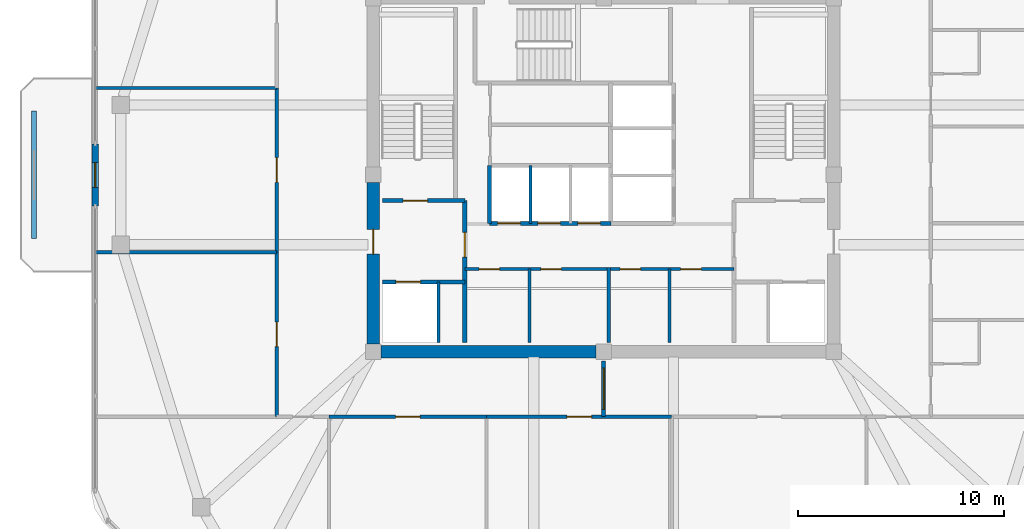
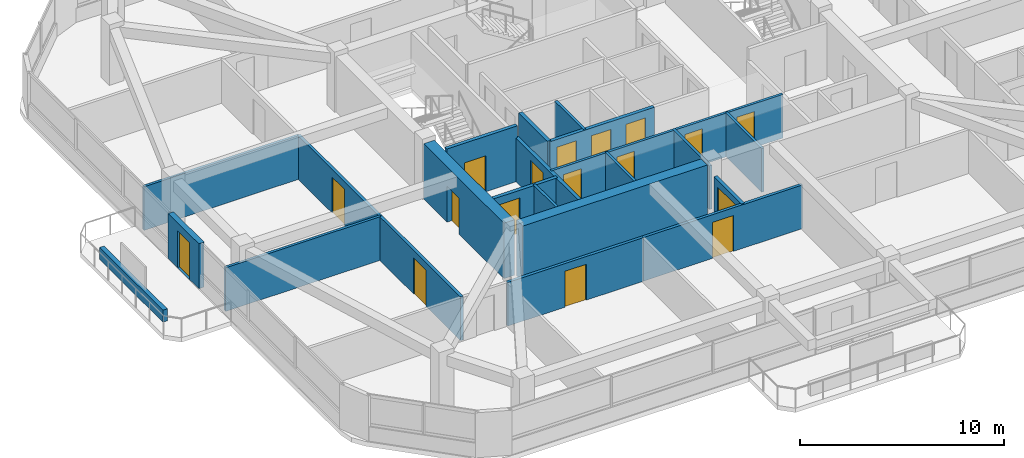
# One storey, part 8 of 13: 23 walls, 17 doors, 17 openings.
"""IFC4 building model written with IfcOpenShell, lengths in metres."""

from ifc_helpers import new_model, si_unit, derived_unit, direction, frame, frame_2d, origin, place, context, subcontext, project, spatial, rectangle, extrude, material, layer, layer_set, type_object, element, fill, save


model = new_model("IFC4")

# Units and contexts
model_context = context("Model", 3, precision=1e-05, world=origin(), true_north=direction((0.0, 1.0)))
body_context = subcontext(model_context, "Body", "Model", "MODEL_VIEW")
ifc_project = project(units=[si_unit("LENGTHUNIT", "METRE"), si_unit("AREAUNIT", "SQUARE_METRE"), si_unit("VOLUMEUNIT", "CUBIC_METRE"), si_unit("PLANEANGLEUNIT", "RADIAN"), si_unit("MASSUNIT", "GRAM", prefix="KILO"), derived_unit("THERMALTRANSMITTANCEUNIT", [(si_unit("POWERUNIT", "WATT"), 1), (si_unit("LENGTHUNIT", "METRE"), -2), (si_unit("THERMODYNAMICTEMPERATUREUNIT", "KELVIN"), -1)])], contexts=[model_context])

# Site, building, storey
site_placement = place(None, origin())
site = spatial("IfcSite", under=ifc_project, at=site_placement, CompositionType="ELEMENT")
building_placement = place(site_placement, origin())
building = spatial("IfcBuilding", under=site, at=building_placement, Name="Koralith Skygarden Medical Center", CompositionType="ELEMENT")
storey_placement = place(building_placement, frame((0.0, 0.0, 264.419921875)))
storey = spatial("IfcBuildingStorey", under=building, at=storey_placement, Name="L68", CompositionType="ELEMENT", Elevation=264.419921875)

# Wall, openings, doors
ifc_material_1 = material(Name="Gypsum Board Partition")
ifc_layer_1 = layer(ifc_material_1, 0.14990234375)
ifc_layer_set_1 = layer_set([ifc_layer_1], Name="Gypsum Board Partition")
wall_type_1 = type_object("IfcWallType", Name="Clinical Acoustic Partition 150", PredefinedType="PARTITIONING", material=ifc_layer_set_1)
wall_1_placement = place(storey_placement, frame((30.25, 21.320068359375, 0.0), z_axis=(0.0, 0.0, 1.0), x_axis=(1.0, 0.0, 0.0)))
wall_1 = element("IfcWall", 1, at=wall_1_placement, inside=storey, type_object=wall_type_1, Name="L68 Clinical Acoustic Partition 150 W-CORE-L68-FREED-LR-N", PredefinedType="PARTITIONING", context=body_context, shape_type="SweptSolid", body=[
    extrude(rectangle(XDim=7.0, YDim=0.14990234375, at=frame_2d((3.5, 0.0))), origin(), (0.0, 0.0, 1.0), 2.610107421875),
])
opening_1_placement = place(wall_1_placement, frame((0.699951171875, 0.0, 0.0)))
opening_1 = element("IfcOpeningElement", 2, at=opening_1_placement, cuts=wall_1, Name="Opening D-SUP", PredefinedType="OPENING", context=body_context, shape_type="SweptSolid", body=[
    extrude(rectangle(XDim=1.0, YDim=2.14990234375, at=frame_2d((0.5, 1.074951171875))), frame((0.0, 0.0849609375, 0.0), z_axis=(0.0, -1.0, 0.0), x_axis=(1.0, 0.0, 0.0)), (0.0, 0.0, 1.0), 0.169921875),
])
opening_2_placement = place(wall_1_placement, frame((3.699951171875, 0.0, 0.0)))
opening_2 = element("IfcOpeningElement", 3, at=opening_2_placement, cuts=wall_1, Name="Opening D-SUP", PredefinedType="OPENING", context=body_context, shape_type="SweptSolid", body=[
    extrude(rectangle(XDim=1.0, YDim=2.14990234375, at=frame_2d((0.5, 1.074951171875))), frame((0.0, 0.0849609375, 0.0), z_axis=(0.0, -1.0, 0.0), x_axis=(1.0, 0.0, 0.0)), (0.0, 0.0, 1.0), 0.169921875),
])
ifc_material_2 = material(Name="Aluminium 6063-T6", Category="aluminium")
door_type_1 = type_object("IfcDoorType", Name="Clinical Support Door D-SUP 1000", OperationType="NOTDEFINED", PredefinedType="DOOR", material=ifc_material_2)
door_1_placement = place(opening_1_placement, frame((1.0, 0.0, 0.0), z_axis=(0.0, 0.0, 1.0), x_axis=(-1.0, 0.0, 0.0)))
door_1 = element("IfcDoor", 4, at=door_1_placement, inside=storey, type_object=door_type_1, Name="L68 Medication Preparation Door", OperationType="SINGLE_SWING_LEFT", OverallHeight=2.14990234375, OverallWidth=1.0, PredefinedType="DOOR", context=body_context, shape_type="SweptSolid", body=[
    extrude(rectangle(XDim=1.0, YDim=2.14990234375, at=frame_2d((0.5, 1.074951171875))), frame((0.0, 0.02490234375, 0.0), z_axis=(0.0, -1.0, 0.0), x_axis=(1.0, 0.0, 0.0)), (0.0, 0.0, 1.0), 0.050048828125),
])
fill(opening_1, door_1)
door_2_placement = place(opening_2_placement, frame((1.0, 0.0, 0.0), z_axis=(0.0, 0.0, 1.0), x_axis=(-1.0, 0.0, 0.0)))
door_2 = element("IfcDoor", 5, at=door_2_placement, inside=storey, type_object=door_type_1, Name="L68 Telemetry Room Door", OperationType="SINGLE_SWING_RIGHT", OverallHeight=2.14990234375, OverallWidth=1.0, PredefinedType="DOOR", context=body_context, shape_type="SweptSolid", body=[
    extrude(rectangle(XDim=1.0, YDim=2.14990234375, at=frame_2d((0.5, 1.074951171875))), frame((0.0, 0.02490234375, 0.0), z_axis=(0.0, -1.0, 0.0), x_axis=(1.0, 0.0, 0.0)), (0.0, 0.0, 1.0), 0.050048828125),
])
fill(opening_2, door_2)

# Wall
wall_2_placement = place(storey_placement, frame((33.39990234375, 17.75, 0.0), z_axis=(0.0, 0.0, 1.0), x_axis=(0.0, 1.0, 0.0)))
element("IfcWall", 6, at=wall_2_placement, inside=storey, type_object=wall_type_1, Name="L68 Clinical Acoustic Partition 150 W-CORE-L68-FREED-LR-M", PredefinedType="PARTITIONING", context=body_context, shape_type="SweptSolid", body=[
    extrude(rectangle(XDim=3.570068359375, YDim=0.14990234375, at=frame_2d((1.78515625, 0.0))), origin(), (0.0, 0.0, 1.0), 2.610107421875),
])

# Wall, openings, doors
wall_3_placement = place(storey_placement, frame((37.25, 21.320068359375, 0.0), z_axis=(0.0, 0.0, 1.0), x_axis=(1.0, 0.0, 0.0)))
wall_3 = element("IfcWall", 7, at=wall_3_placement, inside=storey, type_object=wall_type_1, Name="L68 Clinical Acoustic Partition 150 W-CORE-L68-FREED-MR-N", PredefinedType="PARTITIONING", context=body_context, shape_type="SweptSolid", body=[
    extrude(rectangle(XDim=6.10009765625, YDim=0.14990234375, at=frame_2d((3.050048828125, 0.0))), origin(), (0.0, 0.0, 1.0), 2.610107421875),
])
opening_3_placement = place(wall_3_placement, frame((0.550048828125, 0.0, 0.0)))
opening_3 = element("IfcOpeningElement", 8, at=opening_3_placement, cuts=wall_3, Name="Opening D-SUP", PredefinedType="OPENING", context=body_context, shape_type="SweptSolid", body=[
    extrude(rectangle(XDim=1.0, YDim=2.14990234375, at=frame_2d((0.5, 1.074951171875))), frame((0.0, 0.0849609375, 0.0), z_axis=(0.0, -1.0, 0.0), x_axis=(1.0, 0.0, 0.0)), (0.0, 0.0, 1.0), 0.169921875),
])
opening_4_placement = place(wall_3_placement, frame((3.5, 0.0, 0.0)))
opening_4 = element("IfcOpeningElement", 9, at=opening_4_placement, cuts=wall_3, Name="Opening D-SUP", PredefinedType="OPENING", context=body_context, shape_type="SweptSolid", body=[
    extrude(rectangle(XDim=1.0, YDim=2.14990234375, at=frame_2d((0.5, 1.074951171875))), frame((0.0, 0.0849609375, 0.0), z_axis=(0.0, -1.0, 0.0), x_axis=(1.0, 0.0, 0.0)), (0.0, 0.0, 1.0), 0.169921875),
])
door_3_placement = place(opening_3_placement, frame((1.0, 0.0, 0.0), z_axis=(0.0, 0.0, 1.0), x_axis=(-1.0, 0.0, 0.0)))
door_3 = element("IfcDoor", 10, at=door_3_placement, inside=storey, type_object=door_type_1, Name="L68 Satellite Pharmacy Door", OperationType="SINGLE_SWING_LEFT", OverallHeight=2.14990234375, OverallWidth=1.0, PredefinedType="DOOR", context=body_context, shape_type="SweptSolid", body=[
    extrude(rectangle(XDim=1.0, YDim=2.14990234375, at=frame_2d((0.5, 1.074951171875))), frame((0.0, 0.02490234375, 0.0), z_axis=(0.0, -1.0, 0.0), x_axis=(1.0, 0.0, 0.0)), (0.0, 0.0, 1.0), 0.050048828125),
])
fill(opening_3, door_3)
door_4_placement = place(opening_4_placement, frame((1.0, 0.0, 0.0), z_axis=(0.0, 0.0, 1.0), x_axis=(-1.0, 0.0, 0.0)))
door_4 = element("IfcDoor", 11, at=door_4_placement, inside=storey, type_object=door_type_1, Name="L68 Biomedical Equipment Door", OperationType="SINGLE_SWING_RIGHT", OverallHeight=2.14990234375, OverallWidth=1.0, PredefinedType="DOOR", context=body_context, shape_type="SweptSolid", body=[
    extrude(rectangle(XDim=1.0, YDim=2.14990234375, at=frame_2d((0.5, 1.074951171875))), frame((0.0, 0.02490234375, 0.0), z_axis=(0.0, -1.0, 0.0), x_axis=(1.0, 0.0, 0.0)), (0.0, 0.0, 1.0), 0.050048828125),
])
fill(opening_4, door_4)

# Walls
wall_4_placement = place(storey_placement, frame((40.199951171875, 17.75, 0.0), z_axis=(0.0, 0.0, 1.0), x_axis=(0.0, 1.0, 0.0)))
element("IfcWall", 12, at=wall_4_placement, inside=storey, type_object=wall_type_1, Name="L68 Clinical Acoustic Partition 150 W-CORE-L68-FREED-MR-M", PredefinedType="PARTITIONING", context=body_context, shape_type="SweptSolid", body=[
    extrude(rectangle(XDim=3.570068359375, YDim=0.14990234375, at=frame_2d((1.78515625, 0.0))), origin(), (0.0, 0.0, 1.0), 2.610107421875),
])
for number, where, z_axis, x_axis, name in (
    (13, (21.10009765625, 22.139892578125, 0.0), (0.0, 0.0, 1.0), (-1.0, 0.0, 0.0), "L68 Clinical Acoustic Partition 150 W-PART-L68-W-01"),
    (14, (21.10009765625, 30.1298828125, 0.0), (0.0, 0.0, 1.0), (-1.0, 0.0, 0.0), "L68 Clinical Acoustic Partition 150 W-PART-L68-W-02"),
):
    element("IfcWall", number, at=place(storey_placement, frame(where, z_axis=z_axis, x_axis=x_axis)), inside=storey, type_object=wall_type_1, Name=name, PredefinedType="PARTITIONING", context=body_context, shape_type="SweptSolid", body=[
        extrude(rectangle(XDim=8.800048828125, YDim=0.14990234375, at=frame_2d((4.39990234375, 0.0))), origin(), (0.0, 0.0, 1.0), 2.610107421875),
    ])

# Wall, opening, door
ifc_layer_2 = layer(ifc_material_1, 0.1650390625)
ifc_layer_set_2 = layer_set([ifc_layer_2], Name="Gypsum Board Partition")
wall_type_2 = type_object("IfcWallType", Name="Clinical Corridor Partition 165", PredefinedType="PARTITIONING", material=ifc_layer_set_2)
wall_5_placement = place(storey_placement, frame((23.64990234375, 14.14990234375, 0.0), z_axis=(0.0, 0.0, 1.0), x_axis=(1.0, 0.0, 0.0)))
wall_5 = element("IfcWall", 15, at=wall_5_placement, inside=storey, type_object=wall_type_2, Name="L68 Clinical Corridor Partition 165 W-CORR-L68-S-02", PredefinedType="PARTITIONING", context=body_context, shape_type="SweptSolid", body=[
    extrude(rectangle(XDim=7.6669921875, YDim=0.1650390625, at=frame_2d((3.83349609375, 0.0))), origin(), (0.0, 0.0, 1.0), 2.610107421875),
])
opening_5_placement = place(wall_5_placement, frame((3.23388671875, 0.0, 0.0)))
opening_5 = element("IfcOpeningElement", 16, at=opening_5_placement, cuts=wall_5, Name="Opening D-CLN", PredefinedType="OPENING", context=body_context, shape_type="SweptSolid", body=[
    extrude(rectangle(XDim=1.199951171875, YDim=2.14990234375, at=frame_2d((0.60009765625, 1.074951171875))), frame((0.0, 0.092529296875, 0.0), z_axis=(0.0, -1.0, 0.0), x_axis=(1.0, 0.0, 0.0)), (0.0, 0.0, 1.0), 0.18505859375),
])
door_type_2 = type_object("IfcDoorType", Name="Clinical Corridor Door D-CLN 1200", OperationType="NOTDEFINED", PredefinedType="DOOR", material=ifc_material_2)
door_5_placement = place(opening_5_placement, frame((1.199951171875, 0.0, 0.0), z_axis=(0.0, 0.0, 1.0), x_axis=(-1.0, 0.0, 0.0)))
door_5 = element("IfcDoor", 17, at=door_5_placement, inside=storey, type_object=door_type_2, Name="L68 Staff Hydration Pantry 07 Door", OperationType="SINGLE_SWING_RIGHT", OverallHeight=2.14990234375, OverallWidth=1.199951171875, PredefinedType="DOOR", context=body_context, shape_type="SweptSolid", body=[
    extrude(rectangle(XDim=1.199951171875, YDim=2.14990234375, at=frame_2d((0.60009765625, 1.074951171875))), frame((0.0, 0.02490234375, 0.0), z_axis=(0.0, -1.0, 0.0), x_axis=(1.0, 0.0, 0.0)), (0.0, 0.0, 1.0), 0.050048828125),
])
fill(opening_5, door_5)

wall_6_placement = place(storey_placement, frame((31.31689453125, 14.14990234375, 0.0), z_axis=(0.0, 0.0, 1.0), x_axis=(1.0, 0.0, 0.0)))
wall_6 = element("IfcWall", 18, at=wall_6_placement, inside=storey, type_object=wall_type_2, Name="L68 Clinical Corridor Partition 165 W-CORR-L68-S-03", PredefinedType="PARTITIONING", context=body_context, shape_type="SweptSolid", body=[
    extrude(rectangle(XDim=8.998046875, YDim=0.1650390625, at=frame_2d((4.4990234375, 0.0))), origin(), (0.0, 0.0, 1.0), 2.610107421875),
])
opening_6_placement = place(wall_6_placement, frame((3.89892578125, 0.0, 0.0)))
opening_6 = element("IfcOpeningElement", 19, at=opening_6_placement, cuts=wall_6, Name="Opening D-CLN", PredefinedType="OPENING", context=body_context, shape_type="SweptSolid", body=[
    extrude(rectangle(XDim=1.199951171875, YDim=2.14990234375, at=frame_2d((0.60009765625, 1.074951171875))), frame((0.0, 0.092529296875, 0.0), z_axis=(0.0, -1.0, 0.0), x_axis=(1.0, 0.0, 0.0)), (0.0, 0.0, 1.0), 0.18505859375),
])
door_6_placement = place(opening_6_placement, frame((1.199951171875, 0.0, 0.0), z_axis=(0.0, 0.0, 1.0), x_axis=(-1.0, 0.0, 0.0)))
door_6 = element("IfcDoor", 20, at=door_6_placement, inside=storey, type_object=door_type_2, Name="L68 Patient and Family Sky-Garden Day Lounge 08 Door", OperationType="SINGLE_SWING_LEFT", OverallHeight=2.14990234375, OverallWidth=1.199951171875, PredefinedType="DOOR", context=body_context, shape_type="SweptSolid", body=[
    extrude(rectangle(XDim=1.199951171875, YDim=2.14990234375, at=frame_2d((0.60009765625, 1.074951171875))), frame((0.0, 0.02490234375, 0.0), z_axis=(0.0, -1.0, 0.0), x_axis=(1.0, 0.0, 0.0)), (0.0, 0.0, 1.0), 0.050048828125),
])
fill(opening_6, door_6)

wall_7_placement = place(storey_placement, frame((21.10009765625, 14.14990234375, 0.0), z_axis=(0.0, 0.0, 1.0), x_axis=(0.0, 1.0, 0.0)))
wall_7 = element("IfcWall", 21, at=wall_7_placement, inside=storey, type_object=wall_type_2, Name="L68 Clinical Corridor Partition 165 W-CORR-L68-W-01", PredefinedType="PARTITIONING", context=body_context, shape_type="SweptSolid", body=[
    extrude(rectangle(XDim=7.989990234375, YDim=0.1650390625, at=frame_2d((3.9951171875, 0.0))), origin(), (0.0, 0.0, 1.0), 2.610107421875),
])
opening_7_placement = place(wall_7_placement, frame((3.39501953125, 0.0, 0.0)))
opening_7 = element("IfcOpeningElement", 22, at=opening_7_placement, cuts=wall_7, Name="Opening D-CLN", PredefinedType="OPENING", context=body_context, shape_type="SweptSolid", body=[
    extrude(rectangle(XDim=1.199951171875, YDim=2.14990234375, at=frame_2d((0.60009765625, 1.074951171875))), frame((0.0, 0.092529296875, 0.0), z_axis=(0.0, -1.0, 0.0), x_axis=(1.0, 0.0, 0.0)), (0.0, 0.0, 1.0), 0.18505859375),
])
door_7_placement = place(opening_7_placement, frame((1.199951171875, 0.0, 0.0), z_axis=(0.0, 0.0, 1.0), x_axis=(-1.0, 0.0, 0.0)))
door_7 = element("IfcDoor", 23, at=door_7_placement, inside=storey, type_object=door_type_2, Name="L68 PPE Isolation Supply Store 11 Door", OperationType="SINGLE_SWING_RIGHT", OverallHeight=2.14990234375, OverallWidth=1.199951171875, PredefinedType="DOOR", context=body_context, shape_type="SweptSolid", body=[
    extrude(rectangle(XDim=1.199951171875, YDim=2.14990234375, at=frame_2d((0.60009765625, 1.074951171875))), frame((0.0, 0.02490234375, 0.0), z_axis=(0.0, -1.0, 0.0), x_axis=(1.0, 0.0, 0.0)), (0.0, 0.0, 1.0), 0.050048828125),
])
fill(opening_7, door_7)

wall_8_placement = place(storey_placement, frame((21.10009765625, 22.139892578125, 0.0), z_axis=(0.0, 0.0, 1.0), x_axis=(0.0, 1.0, 0.0)))
wall_8 = element("IfcWall", 24, at=wall_8_placement, inside=storey, type_object=wall_type_2, Name="L68 Clinical Corridor Partition 165 W-CORR-L68-W-02", PredefinedType="PARTITIONING", context=body_context, shape_type="SweptSolid", body=[
    extrude(rectangle(XDim=7.989990234375, YDim=0.1650390625, at=frame_2d((3.9951171875, 0.0))), origin(), (0.0, 0.0, 1.0), 2.610107421875),
])
opening_8_placement = place(wall_8_placement, frame((3.39501953125, 0.0, 0.0)))
opening_8 = element("IfcOpeningElement", 25, at=opening_8_placement, cuts=wall_8, Name="Opening D-CLN", PredefinedType="OPENING", context=body_context, shape_type="SweptSolid", body=[
    extrude(rectangle(XDim=1.199951171875, YDim=2.14990234375, at=frame_2d((0.60009765625, 1.074951171875))), frame((0.0, 0.092529296875, 0.0), z_axis=(0.0, -1.0, 0.0), x_axis=(1.0, 0.0, 0.0)), (0.0, 0.0, 1.0), 0.18505859375),
])
door_8_placement = place(opening_8_placement, frame((1.199951171875, 0.0, 0.0), z_axis=(0.0, 0.0, 1.0), x_axis=(-1.0, 0.0, 0.0)))
door_8 = element("IfcDoor", 26, at=door_8_placement, inside=storey, type_object=door_type_2, Name="L68 Patient and Family Sky-Garden Day Lounge 12 Door", OperationType="SINGLE_SWING_LEFT", OverallHeight=2.14990234375, OverallWidth=1.199951171875, PredefinedType="DOOR", context=body_context, shape_type="SweptSolid", body=[
    extrude(rectangle(XDim=1.199951171875, YDim=2.14990234375, at=frame_2d((0.60009765625, 1.074951171875))), frame((0.0, 0.02490234375, 0.0), z_axis=(0.0, -1.0, 0.0), x_axis=(1.0, 0.0, 0.0)), (0.0, 0.0, 1.0), 0.050048828125),
])
fill(opening_8, door_8)

ifc_layer_3 = layer(ifc_material_1, 0.199951171875)
ifc_layer_set_3 = layer_set([ifc_layer_3], Name="Gypsum Board Partition")
wall_type_3 = type_object("IfcWallType", Name="Fire Shaft Wall 200", PredefinedType="SOLIDWALL", material=ifc_layer_set_3)
wall_9_placement = place(storey_placement, frame((26.25, 20.699951171875, 0.0), z_axis=(0.0, 0.0, 1.0), x_axis=(1.0, 0.0, 0.0)))
wall_9 = element("IfcWall", 27, at=wall_9_placement, inside=storey, type_object=wall_type_3, Name="L68 Fire Shaft Wall 200 W-CORE-L68-FF1-N", PredefinedType="SOLIDWALL", context=body_context, shape_type="SweptSolid", body=[
    extrude(rectangle(XDim=4.0, YDim=0.199951171875, at=frame_2d((2.0, 0.0))), origin(), (0.0, 0.0, 1.0), 2.610107421875),
])
opening_9_placement = place(wall_9_placement, frame((0.64990234375, 0.0, 0.0)))
opening_9 = element("IfcOpeningElement", 28, at=opening_9_placement, cuts=wall_9, Name="Opening LD-FF", PredefinedType="OPENING", context=body_context, shape_type="SweptSolid", body=[
    extrude(rectangle(XDim=1.199951171875, YDim=2.14990234375, at=frame_2d((0.60009765625, 1.074951171875))), frame((0.0, 0.10986328125, 0.0), z_axis=(0.0, -1.0, 0.0), x_axis=(1.0, 0.0, 0.0)), (0.0, 0.0, 1.0), 0.219970703125),
])
ifc_material_3 = material(Name="Steel ASTM A500 Grade C", Category="steel")
door_type_3 = type_object("IfcDoorType", Name="Fire Lift Sliding Landing Door LD-FF 1200", OperationType="NOTDEFINED", PredefinedType="DOOR", material=ifc_material_3)
door_9_placement = place(opening_9_placement, origin())
door_9 = element("IfcDoor", 29, at=door_9_placement, inside=storey, type_object=door_type_3, Name="L68 Fire Service Elevator FF1 Landing Door", OperationType="SLIDING_TO_LEFT", OverallHeight=2.14990234375, OverallWidth=1.199951171875, PredefinedType="DOOR", context=body_context, shape_type="SweptSolid", body=[
    extrude(rectangle(XDim=1.199951171875, YDim=2.14990234375, at=frame_2d((0.60009765625, 1.074951171875))), frame((0.0, 0.02490234375, 0.0), z_axis=(0.0, -1.0, 0.0), x_axis=(1.0, 0.0, 0.0)), (0.0, 0.0, 1.0), 0.050048828125),
])
fill(opening_9, door_9)

wall_10_placement = place(storey_placement, frame((30.25, 17.75, 0.0), z_axis=(0.0, 0.0, 1.0), x_axis=(0.0, 1.0, 0.0)))
wall_10 = element("IfcWall", 30, at=wall_10_placement, inside=storey, type_object=wall_type_3, Name="L68 Fire Shaft Wall 200 W-CORE-L68-FSAEW-E", PredefinedType="SOLIDWALL", context=body_context, shape_type="SweptSolid", body=[
    extrude(rectangle(XDim=6.89990234375, YDim=0.199951171875, at=frame_2d((3.449951171875, 0.0))), origin(), (0.0, 0.0, 1.0), 2.610107421875),
])
opening_10_placement = place(wall_10_placement, frame((4.14990234375, 0.0, 0.0)))
opening_10 = element("IfcOpeningElement", 31, at=opening_10_placement, cuts=wall_10, Name="Opening D-ST60", PredefinedType="OPENING", context=body_context, shape_type="SweptSolid", body=[
    extrude(rectangle(XDim=1.199951171875, YDim=2.14990234375, at=frame_2d((0.60009765625, 1.074951171875))), frame((0.0, 0.10986328125, 0.0), z_axis=(0.0, -1.0, 0.0), x_axis=(1.0, 0.0, 0.0)), (0.0, 0.0, 1.0), 0.219970703125),
])
door_type_4 = type_object("IfcDoorType", Name="Smokeproof Stair Fire Door FD60S 1200", OperationType="NOTDEFINED", PredefinedType="DOOR", material=ifc_material_3)
door_10_placement = place(opening_10_placement, origin())
door_10 = element("IfcDoor", 32, at=door_10_placement, inside=storey, type_object=door_type_4, Name="L68 West Firefighting Lobby Inner Fire Door", OperationType="SINGLE_SWING_LEFT", OverallHeight=2.14990234375, OverallWidth=1.199951171875, PredefinedType="DOOR", context=body_context, shape_type="SweptSolid", body=[
    extrude(rectangle(XDim=1.199951171875, YDim=2.14990234375, at=frame_2d((0.60009765625, 1.074951171875))), frame((0.0, 0.02490234375, 0.0), z_axis=(0.0, -1.0, 0.0), x_axis=(1.0, 0.0, 0.0)), (0.0, 0.0, 1.0), 0.050048828125),
])
fill(opening_10, door_10)

# Wall, openings, doors
wall_11_placement = place(storey_placement, frame((31.449951171875, 23.5400390625, 0.0), z_axis=(0.0, 0.0, 1.0), x_axis=(1.0, 0.0, 0.0)))
wall_11 = element("IfcWall", 33, at=wall_11_placement, inside=storey, type_object=wall_type_3, Name="L68 Fire Shaft Wall 200 W-CORE-L68-PH-S", PredefinedType="SOLIDWALL", context=body_context, shape_type="SweptSolid", body=[
    extrude(rectangle(XDim=5.900146484375, YDim=0.199951171875, at=frame_2d((2.9501953125, 0.0))), origin(), (0.0, 0.0, 1.0), 2.610107421875),
])
opening_11_placement = place(wall_11_placement, frame((0.39990234375, 0.0, 0.0)))
opening_11 = element("IfcOpeningElement", 34, at=opening_11_placement, cuts=wall_11, Name="Opening LD-P", PredefinedType="OPENING", context=body_context, shape_type="SweptSolid", body=[
    extrude(rectangle(XDim=1.10009765625, YDim=2.14990234375, at=frame_2d((0.550048828125, 1.074951171875))), frame((0.0, 0.10986328125, 0.0), z_axis=(0.0, -1.0, 0.0), x_axis=(1.0, 0.0, 0.0)), (0.0, 0.0, 1.0), 0.219970703125),
])
opening_12_placement = place(wall_11_placement, frame((2.35009765625, 0.0, 0.0)))
opening_12 = element("IfcOpeningElement", 35, at=opening_12_placement, cuts=wall_11, Name="Opening LD-P", PredefinedType="OPENING", context=body_context, shape_type="SweptSolid", body=[
    extrude(rectangle(XDim=1.10009765625, YDim=2.14990234375, at=frame_2d((0.550048828125, 1.074951171875))), frame((0.0, 0.10986328125, 0.0), z_axis=(0.0, -1.0, 0.0), x_axis=(1.0, 0.0, 0.0)), (0.0, 0.0, 1.0), 0.219970703125),
])
opening_13_placement = place(wall_11_placement, frame((4.300048828125, 0.0, 0.0)))
opening_13 = element("IfcOpeningElement", 36, at=opening_13_placement, cuts=wall_11, Name="Opening LD-P", PredefinedType="OPENING", context=body_context, shape_type="SweptSolid", body=[
    extrude(rectangle(XDim=1.10009765625, YDim=2.14990234375, at=frame_2d((0.550048828125, 1.074951171875))), frame((0.0, 0.10986328125, 0.0), z_axis=(0.0, -1.0, 0.0), x_axis=(1.0, 0.0, 0.0)), (0.0, 0.0, 1.0), 0.219970703125),
])
door_type_5 = type_object("IfcDoorType", Name="Passenger Lift Sliding Landing Door LD-P 1100", OperationType="NOTDEFINED", PredefinedType="DOOR", material=ifc_material_3)
door_11_placement = place(opening_11_placement, origin())
door_11 = element("IfcDoor", 37, at=door_11_placement, inside=storey, type_object=door_type_5, Name="L68 Passenger Elevator PH1 Landing Door", OperationType="SLIDING_TO_RIGHT", OverallHeight=2.14990234375, OverallWidth=1.10009765625, PredefinedType="DOOR", context=body_context, shape_type="SweptSolid", body=[
    extrude(rectangle(XDim=1.10009765625, YDim=2.14990234375, at=frame_2d((0.550048828125, 1.074951171875))), frame((0.0, 0.02490234375, 0.0), z_axis=(0.0, -1.0, 0.0), x_axis=(1.0, 0.0, 0.0)), (0.0, 0.0, 1.0), 0.050048828125),
])
fill(opening_11, door_11)
door_12_placement = place(opening_12_placement, origin())
door_12 = element("IfcDoor", 38, at=door_12_placement, inside=storey, type_object=door_type_5, Name="L68 Passenger Elevator PH2 Landing Door", OperationType="SLIDING_TO_RIGHT", OverallHeight=2.14990234375, OverallWidth=1.10009765625, PredefinedType="DOOR", context=body_context, shape_type="SweptSolid", body=[
    extrude(rectangle(XDim=1.10009765625, YDim=2.14990234375, at=frame_2d((0.550048828125, 1.074951171875))), frame((0.0, 0.02490234375, 0.0), z_axis=(0.0, -1.0, 0.0), x_axis=(1.0, 0.0, 0.0)), (0.0, 0.0, 1.0), 0.050048828125),
])
fill(opening_12, door_12)
door_13_placement = place(opening_13_placement, origin())
door_13 = element("IfcDoor", 39, at=door_13_placement, inside=storey, type_object=door_type_5, Name="L68 Passenger Elevator PH3 Landing Door", OperationType="SLIDING_TO_RIGHT", OverallHeight=2.14990234375, OverallWidth=1.10009765625, PredefinedType="DOOR", context=body_context, shape_type="SweptSolid", body=[
    extrude(rectangle(XDim=1.10009765625, YDim=2.14990234375, at=frame_2d((0.550048828125, 1.074951171875))), frame((0.0, 0.02490234375, 0.0), z_axis=(0.0, -1.0, 0.0), x_axis=(1.0, 0.0, 0.0)), (0.0, 0.0, 1.0), 0.050048828125),
])
fill(opening_13, door_13)

# Wall
wall_12_placement = place(storey_placement, frame((31.449951171875, 23.5400390625, 0.0), z_axis=(0.0, 0.0, 1.0), x_axis=(0.0, 1.0, 0.0)))
element("IfcWall", 40, at=wall_12_placement, inside=storey, type_object=wall_type_3, Name="L68 Fire Shaft Wall 200 W-CORE-L68-PH-W", PredefinedType="SOLIDWALL", context=body_context, shape_type="SweptSolid", body=[
    extrude(rectangle(XDim=2.81005859375, YDim=0.199951171875, at=frame_2d((1.405029296875, 0.0))), origin(), (0.0, 0.0, 1.0), 2.610107421875),
])

# Wall, opening, door
ifc_layer_4 = layer(ifc_material_1, 0.179931640625)
ifc_layer_set_4 = layer_set([ifc_layer_4], Name="Gypsum Board Partition")
wall_type_4 = type_object("IfcWallType", Name="Group I-2 Smoke Barrier Wall 180", PredefinedType="PARTITIONING", material=ifc_layer_set_4)
wall_13_placement = place(storey_placement, frame((37.0, 14.14990234375, 0.0), z_axis=(0.0, 0.0, 1.0), x_axis=(0.0, 1.0, 0.0)))
wall_13 = element("IfcWall", 41, at=wall_13_placement, inside=storey, type_object=wall_type_4, Name="L68 Group I-2 Smoke Barrier Wall 180 W-SMK-L68-S", PredefinedType="PARTITIONING", context=body_context, shape_type="SweptSolid", body=[
    extrude(rectangle(XDim=2.7001953125, YDim=0.179931640625, at=frame_2d((1.35009765625, 0.0))), origin(), (0.0, 0.0, 1.0), 2.610107421875),
])
opening_14_placement = place(wall_13_placement, frame((0.35009765625, 0.0, 0.0)))
opening_14 = element("IfcOpeningElement", 42, at=opening_14_placement, cuts=wall_13, Name="Opening D-SMK", PredefinedType="OPENING", context=body_context, shape_type="SweptSolid", body=[
    extrude(rectangle(XDim=2.0, YDim=2.199951171875, at=frame_2d((1.0, 1.10009765625))), frame((0.0, 0.099853515625, 0.0), z_axis=(0.0, -1.0, 0.0), x_axis=(1.0, 0.0, 0.0)), (0.0, 0.0, 1.0), 0.199951171875),
])
door_type_6 = type_object("IfcDoorType", Name="Cross-Corridor Double Smoke Door FD60S 2000", OperationType="NOTDEFINED", PredefinedType="DOOR", material=ifc_material_3)
door_14_placement = place(opening_14_placement, frame((2.0, 0.0, 0.0), z_axis=(0.0, 0.0, 1.0), x_axis=(-1.0, 0.0, 0.0)))
door_14 = element("IfcDoor", 43, at=door_14_placement, inside=storey, type_object=door_type_6, Name="L68 S Smoke Compartment Cross-Corridor Door", OperationType="DOUBLE_DOOR_SINGLE_SWING", OverallHeight=2.199951171875, OverallWidth=2.0, PredefinedType="DOOR", context=body_context, shape_type="SweptSolid", body=[
    extrude(rectangle(XDim=2.0, YDim=2.199951171875, at=frame_2d((1.0, 1.10009765625))), frame((0.0, 0.02490234375, 0.0), z_axis=(0.0, -1.0, 0.0), x_axis=(1.0, 0.0, 0.0)), (0.0, 0.0, 1.0), 0.050048828125),
])
fill(opening_14, door_14)

ifc_material_4 = material(Name="Warm Oolitic Limestone Cladding", Category="masonry")
ifc_layer_5 = layer(ifc_material_4, 0.300048828125)
ifc_layer_set_5 = layer_set([ifc_layer_5], Name="Warm Oolitic Limestone Cladding")
wall_type_5 = type_object("IfcWallType", Name="Oolitic Limestone Insulated Facade Wall 300", PredefinedType="SOLIDWALL", material=ifc_layer_set_5)
wall_14_placement = place(storey_placement, frame((12.280029296875, 27.39990234375, 0.0), z_axis=(0.0, 0.0, 1.0), x_axis=(0.0, -1.0, 0.0)))
wall_14 = element("IfcWall", 44, at=wall_14_placement, inside=storey, type_object=wall_type_5, Name="L68 Terrace Portal Wall W", PredefinedType="SOLIDWALL", context=body_context, shape_type="SweptSolid", body=[
    extrude(rectangle(XDim=3.0, YDim=0.300048828125, at=frame_2d((1.5, 0.0))), origin(), (0.0, 0.0, 1.0), 2.690185546875),
])
opening_15_placement = place(wall_14_placement, frame((0.89990234375, 0.0, 0.0)))
opening_15 = element("IfcOpeningElement", 45, at=opening_15_placement, cuts=wall_14, Name="Opening D-BAL", PredefinedType="OPENING", context=body_context, shape_type="SweptSolid", body=[
    extrude(rectangle(XDim=1.199951171875, YDim=2.199951171875, at=frame_2d((0.60009765625, 1.10009765625))), frame((0.0, 0.159912109375, 0.0), z_axis=(0.0, -1.0, 0.0), x_axis=(1.0, 0.0, 0.0)), (0.0, 0.0, 1.0), 0.320068359375),
])
door_type_7 = type_object("IfcDoorType", Name="Planted Balcony Glazed Terrace Door D-BAL 1200", OperationType="NOTDEFINED", PredefinedType="DOOR", material=ifc_material_2)
door_15_placement = place(opening_15_placement, origin())
door_15 = element("IfcDoor", 46, at=door_15_placement, inside=storey, type_object=door_type_7, Name="L68 W Outdoor Terrace Access Door", OperationType="SINGLE_SWING_LEFT", OverallHeight=2.199951171875, OverallWidth=1.199951171875, PredefinedType="DOOR", context=body_context, shape_type="SweptSolid", body=[
    extrude(rectangle(XDim=1.199951171875, YDim=2.199951171875, at=frame_2d((0.60009765625, 1.10009765625))), frame((0.0, 0.02490234375, 0.0), z_axis=(0.0, -1.0, 0.0), x_axis=(1.0, 0.0, 0.0)), (0.0, 0.0, 1.0), 0.050048828125),
])
fill(opening_15, door_15)

# Walls
ifc_layer_6 = layer(ifc_material_1, 0.14990234375)
ifc_layer_set_6 = layer_set([ifc_layer_6], Name="Gypsum Board Partition")
wall_type_6 = type_object("IfcWallType", Name="Shaft Partition Wall 150", PredefinedType="PARTITIONING", material=ifc_layer_set_6)
wall_15_placement = place(storey_placement, frame((28.969970703125, 17.75, 0.0), z_axis=(0.0, 0.0, 1.0), x_axis=(0.0, 1.0, 0.0)))
element("IfcWall", 47, at=wall_15_placement, inside=storey, type_object=wall_type_6, Name="L68 Shaft Partition Wall 150 W-CORE-L68-RSRW-DIV", PredefinedType="PARTITIONING", context=body_context, shape_type="SweptSolid", body=[
    extrude(rectangle(XDim=2.949951171875, YDim=0.14990234375, at=frame_2d((1.47509765625, 0.0))), origin(), (0.0, 0.0, 1.0), 2.610107421875),
])
wall_16_placement = place(storey_placement, frame((37.25, 17.75, 0.0), z_axis=(0.0, 0.0, 1.0), x_axis=(0.0, 1.0, 0.0)))
element("IfcWall", 48, at=wall_16_placement, inside=storey, type_object=wall_type_6, Name="L68 Shaft Partition Wall 150 W-CORE-L68-PL-PM-SEP", PredefinedType="PARTITIONING", context=body_context, shape_type="SweptSolid", body=[
    extrude(rectangle(XDim=3.64990234375, YDim=0.14990234375, at=frame_2d((1.824951171875, 0.0))), origin(), (0.0, 0.0, 1.0), 2.610107421875),
])
wall_17_placement = place(storey_placement, frame((33.449951171875, 23.5400390625, 0.0), z_axis=(0.0, 0.0, 1.0), x_axis=(0.0, 1.0, 0.0)))
element("IfcWall", 49, at=wall_17_placement, inside=storey, type_object=wall_type_6, Name="L68 Shaft Partition Wall 150 W-CORE-L68-PH-D1", PredefinedType="PARTITIONING", context=body_context, shape_type="SweptSolid", body=[
    extrude(rectangle(XDim=2.81005859375, YDim=0.14990234375, at=frame_2d((1.405029296875, 0.0))), origin(), (0.0, 0.0, 1.0), 2.610107421875),
])
ifc_material_5 = material(Name="Precast concrete C40/50", Category="concrete")
ifc_layer_7 = layer(ifc_material_5, 0.25)
ifc_layer_set_7 = layer_set([ifc_layer_7], Name="Precast concrete C40/50")
wall_type_7 = type_object("IfcWallType", Name="Structural Concrete Balcony Planter Kerb 250", PredefinedType="PARAPET", material=ifc_layer_set_7)
wall_18_placement = place(storey_placement, frame((9.300048828125, 22.800048828125, 0.0), z_axis=(0.0, 0.0, 1.0), x_axis=(0.0, 1.0, 0.0)))
element("IfcWall", 50, at=wall_18_placement, inside=storey, type_object=wall_type_7, Name="L68 W Structural Tree PLANTER Box", PredefinedType="PARAPET", context=body_context, shape_type="SweptSolid", body=[
    extrude(rectangle(XDim=6.199951171875, YDim=0.25, at=frame_2d((3.10009765625, 0.0))), origin(), (0.0, 0.0, 1.0), 0.719970703125),
])

# Wall, opening, door
ifc_material_6 = material(Name="Concrete C45/55", Category="concrete")
ifc_layer_8 = layer(ifc_material_6, 0.199951171875)
ifc_layer_set_8 = layer_set([ifc_layer_8], Name="Concrete C45/55")
wall_type_8 = type_object("IfcWallType", Name="Structural Stair Shaft Wall 200", PredefinedType="SHEAR", material=ifc_layer_set_8)
wall_19_placement = place(storey_placement, frame((26.25, 24.64990234375, 0.0), z_axis=(0.0, 0.0, 1.0), x_axis=(1.0, 0.0, 0.0)))
wall_19 = element("IfcWall", 51, at=wall_19_placement, inside=storey, type_object=wall_type_8, Name="L68 Structural Stair Shaft Wall 200 W-CORE-L68-ST1-S", PredefinedType="SHEAR", context=body_context, shape_type="SweptSolid", body=[
    extrude(rectangle(XDim=4.0, YDim=0.199951171875, at=frame_2d((2.0, 0.0))), origin(), (0.0, 0.0, 1.0), 3.320068359375),
])
opening_16_placement = place(wall_19_placement, frame((1.0, 0.0, 0.0)))
opening_16 = element("IfcOpeningElement", 52, at=opening_16_placement, cuts=wall_19, Name="Opening D-ST60", PredefinedType="OPENING", context=body_context, shape_type="SweptSolid", body=[
    extrude(rectangle(XDim=1.199951171875, YDim=2.14990234375, at=frame_2d((0.60009765625, 1.074951171875))), frame((0.0, 0.10986328125, 0.0), z_axis=(0.0, -1.0, 0.0), x_axis=(1.0, 0.0, 0.0)), (0.0, 0.0, 1.0), 0.219970703125),
])
door_16_placement = place(opening_16_placement, origin())
door_16 = element("IfcDoor", 53, at=door_16_placement, inside=storey, type_object=door_type_4, Name="L68 Exit Stair ST1 Fire Door", OperationType="SINGLE_SWING_LEFT", OverallHeight=2.14990234375, OverallWidth=1.199951171875, PredefinedType="DOOR", context=body_context, shape_type="SweptSolid", body=[
    extrude(rectangle(XDim=1.199951171875, YDim=2.14990234375, at=frame_2d((0.60009765625, 1.074951171875))), frame((0.0, 0.02490234375, 0.0), z_axis=(0.0, -1.0, 0.0), x_axis=(1.0, 0.0, 0.0)), (0.0, 0.0, 1.0), 0.050048828125),
])
fill(opening_16, door_16)

# Wall
ifc_material_7 = material(Name="Concrete C55/67", Category="concrete")
ifc_layer_9 = layer(ifc_material_7, 0.60009765625)
ifc_layer_set_9 = layer_set([ifc_layer_9], Name="Concrete C55/67")
wall_type_9 = type_object("IfcWallType", Name="Upper Core Shear Wall 600", PredefinedType="SHEAR", material=ifc_layer_set_9)
wall_20_placement = place(storey_placement, frame((26.175048828125, 17.300048828125, 0.0), z_axis=(0.0, 0.0, 1.0), x_axis=(1.0, 0.0, 0.0)))
element("IfcWall", 54, at=wall_20_placement, inside=storey, type_object=wall_type_9, Name="L68 Core Shear Wall Segment 1", PredefinedType="SHEAR", context=body_context, shape_type="SweptSolid", body=[
    extrude(rectangle(XDim=10.449951171875, YDim=0.60009765625, at=frame_2d((5.22509765625, 0.0))), origin(), (0.0, 0.0, 1.0), 3.320068359375),
])

# Wall, opening, door
wall_21_placement = place(storey_placement, frame((25.800048828125, 25.52490234375, 0.0), z_axis=(0.0, 0.0, 1.0), x_axis=(0.0, -1.0, 0.0)))
wall_21 = element("IfcWall", 55, at=wall_21_placement, inside=storey, type_object=wall_type_9, Name="L68 Core Shear Wall Segment 8", PredefinedType="SHEAR", context=body_context, shape_type="SweptSolid", body=[
    extrude(rectangle(XDim=7.849853515625, YDim=0.60009765625, at=frame_2d((3.9248046875, 0.0))), origin(), (0.0, 0.0, 1.0), 3.320068359375),
])
opening_17_placement = place(wall_21_placement, frame((2.27490234375, 0.0, 0.0)))
opening_17 = element("IfcOpeningElement", 56, at=opening_17_placement, cuts=wall_21, Name="Opening D-ST60", PredefinedType="OPENING", context=body_context, shape_type="SweptSolid", body=[
    extrude(rectangle(XDim=1.199951171875, YDim=2.14990234375, at=frame_2d((0.60009765625, 1.074951171875))), frame((0.0, 0.31005859375, 0.0), z_axis=(0.0, -1.0, 0.0), x_axis=(1.0, 0.0, 0.0)), (0.0, 0.0, 1.0), 0.6201171875),
])
door_17_placement = place(opening_17_placement, frame((1.199951171875, 0.0, 0.0), z_axis=(0.0, 0.0, 1.0), x_axis=(-1.0, 0.0, 0.0)))
door_17 = element("IfcDoor", 57, at=door_17_placement, inside=storey, type_object=door_type_4, Name="L68 West Corridor to Firefighting Lobby Door", OperationType="SINGLE_SWING_LEFT", OverallHeight=2.14990234375, OverallWidth=1.199951171875, PredefinedType="DOOR", context=body_context, shape_type="SweptSolid", body=[
    extrude(rectangle(XDim=1.199951171875, YDim=2.14990234375, at=frame_2d((0.60009765625, 1.074951171875))), frame((0.0, 0.02490234375, 0.0), z_axis=(0.0, -1.0, 0.0), x_axis=(1.0, 0.0, 0.0)), (0.0, 0.0, 1.0), 0.050048828125),
])
fill(opening_17, door_17)

save(model, "model.ifc")
